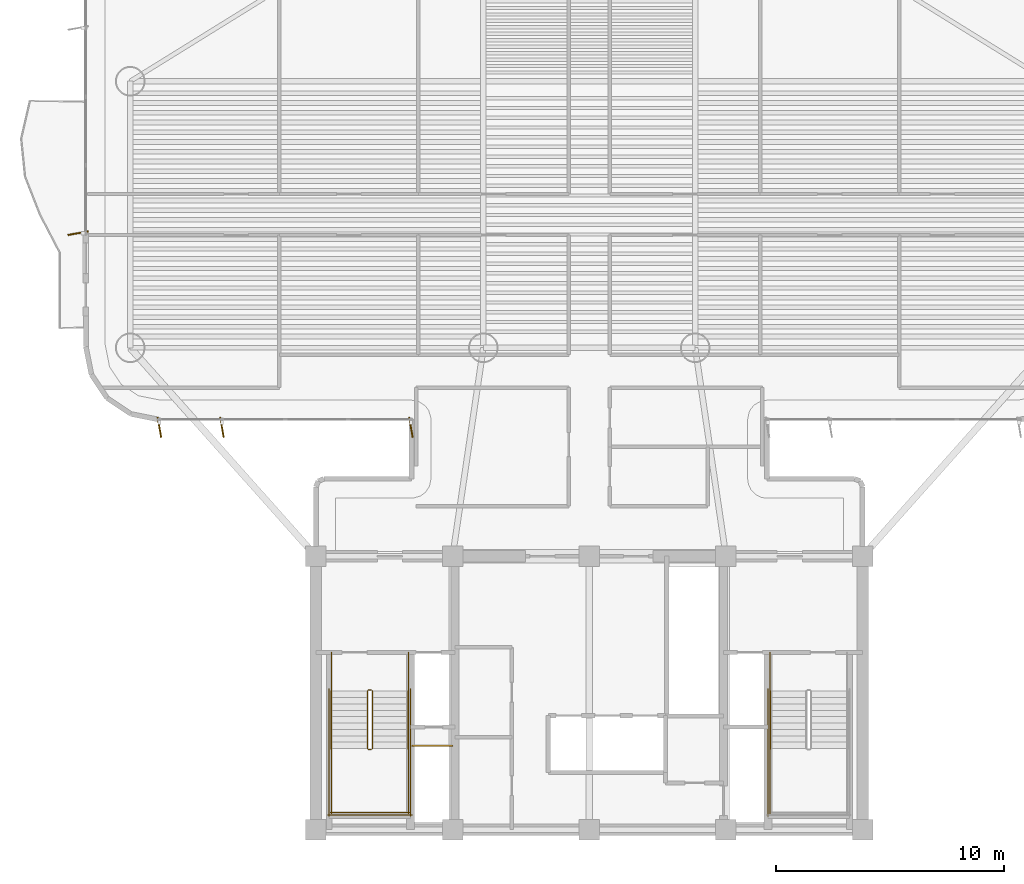
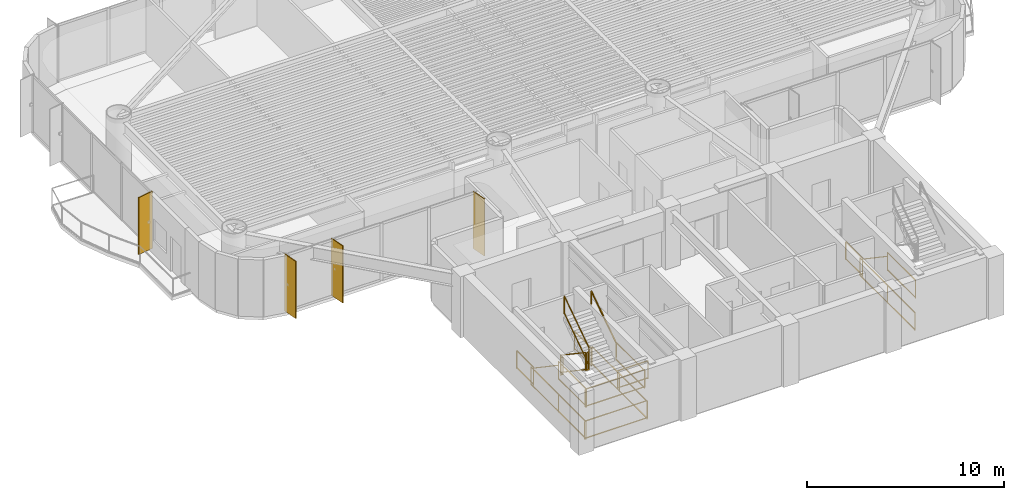
# One storey, part 13 of 16: 19 railings, 4 shading devices.
"""IFC4 building model written with IfcOpenShell, lengths in metres."""

from ifc_helpers import new_model, si_unit, direction, frame, origin, origin_2d, place, context, subcontext, project, spatial, rectangle, extrude, source, transform, mapped, material, layer, layer_set, material_profile, profile_set, type_object, element, save


model = new_model("IFC4")

# Units and contexts
model_context = context("Model", 3, precision=1e-05, world=origin(), true_north=direction((0.0, 1.0)))
body_context = subcontext(model_context, "Body", "Model", "MODEL_VIEW")
ifc_project = project(units=[si_unit("LENGTHUNIT", "METRE"), si_unit("AREAUNIT", "SQUARE_METRE"), si_unit("VOLUMEUNIT", "CUBIC_METRE"), si_unit("PLANEANGLEUNIT", "RADIAN"), si_unit("MASSUNIT", "GRAM", prefix="KILO")], contexts=[model_context])

# Site, building, storey
site_placement = place(None, origin())
site = spatial("IfcSite", under=ifc_project, at=site_placement, CompositionType="ELEMENT")
building_placement = place(site_placement, origin())
building = spatial("IfcBuilding", under=site, at=building_placement, Name="Brelvock Crest Care Tower", CompositionType="ELEMENT")
storey_placement = place(building_placement, frame((0.0, 0.0, 108.719970703125)))
storey = spatial("IfcBuildingStorey", under=building, at=storey_placement, Name="L27", CompositionType="ELEMENT", Elevation=108.719970703125)

# Railings
ifc_material_1 = material(Name="Steel Grade 350", Category="steel")
ifc_layer_1 = layer(ifc_material_1, 0.050048828125, Name="RL-STG1")
ifc_layer_set_1 = layer_set([ifc_layer_1], Name="Steel Grade 350")
railing_type_1 = type_object("IfcRailingType", Name="RL-STG1", PredefinedType="GUARDRAIL", material=ifc_layer_set_1)
railing_1_placement = place(storey_placement, frame((26.260009765625, 12.080078125, 0.18896484375)))
element("IfcRailing", 1, at=railing_1_placement, inside=storey, type_object=railing_type_1, Name="L27 ST-1 stair guard 1", PredefinedType="GUARDRAIL", context=body_context, shape_type="SweptSolid", body=[
    extrude(rectangle(XDim=0.048095703125, YDim=0.048095703125, at=origin_2d()), frame((0.0, -0.001708984375, 1.116943359375), z_axis=(0.0, -0.82882447046, 0.559508710537), x_axis=(1.0, 0.0, 0.0)), (0.0, 0.0, 1.0), 3.036376953125),
    extrude(rectangle(XDim=0.048095703125, YDim=0.048095703125, at=origin_2d()), frame((0.0, -0.001708984375, 0.05615234375), z_axis=(0.0, -0.82882447046, 0.559508710537), x_axis=(1.0, 0.0, 0.0)), (0.0, 0.0, 1.0), 3.036376953125),
    extrude(rectangle(XDim=0.0419921875, YDim=0.0419921875, at=origin_2d()), origin(), (0.0, 0.0, 1.0), 1.08984375),
    extrude(rectangle(XDim=0.0419921875, YDim=0.0419921875, at=origin_2d()), frame((0.0, -2.52001953125, 1.701171875)), (0.0, 0.0, 1.0), 1.08984375),
])
railing_2_placement = place(storey_placement, frame((26.31005859375, 9.510009765625, 1.89013671875)))
element("IfcRailing", 2, at=railing_2_placement, inside=storey, type_object=railing_type_1, Name="L27 ST-1 stair guard 2", PredefinedType="GUARDRAIL", context=body_context, shape_type="SweptSolid", body=[
    extrude(rectangle(XDim=0.048095703125, YDim=0.048095703125, at=origin_2d()), frame((0.001953125, 0.0, 1.11572265625), z_axis=(1.0, 0.0, 0.0), x_axis=(0.0, 1.0, 0.0)), (0.0, 0.0, 1.0), 0.115966796875),
    extrude(rectangle(XDim=0.048095703125, YDim=0.048095703125, at=origin_2d()), frame((0.001953125, 0.0, 0.054931640625), z_axis=(1.0, 0.0, 0.0), x_axis=(0.0, 1.0, 0.0)), (0.0, 0.0, 1.0), 0.115966796875),
    extrude(rectangle(XDim=0.0419921875, YDim=0.0419921875, at=origin_2d()), origin(), (0.0, 0.0, 1.0), 1.08984375),
    extrude(rectangle(XDim=0.0419921875, YDim=0.0419921875, at=origin_2d()), frame((0.119873046875, 0.0, 0.0)), (0.0, 0.0, 1.0), 1.08984375),
])
for number, where, name in (
    (3, (24.679931640625, 9.56005859375, 1.89013671875), "L27 ST-1 stair guard 3"),
    (4, (28.06005859375, 9.56005859375, 1.89013671875), "L27 ST-1 stair guard 4"),
):
    element("IfcRailing", number, at=place(storey_placement, frame(where)), inside=storey, type_object=railing_type_1, Name=name, PredefinedType="GUARDRAIL", context=body_context, shape_type="SweptSolid", body=[
        extrude(rectangle(XDim=0.048095703125, YDim=0.048095703125, at=origin_2d()), frame((0.0, -0.001953125, 1.11572265625), z_axis=(0.0, -1.0, 0.0), x_axis=(1.0, 0.0, 0.0)), (0.0, 0.0, 1.0), 2.856201171875),
        extrude(rectangle(XDim=0.048095703125, YDim=0.048095703125, at=origin_2d()), frame((0.0, -0.001953125, 0.054931640625), z_axis=(0.0, -1.0, 0.0), x_axis=(1.0, 0.0, 0.0)), (0.0, 0.0, 1.0), 2.856201171875),
        extrude(rectangle(XDim=0.0419921875, YDim=0.0419921875, at=origin_2d()), origin(), (0.0, 0.0, 1.0), 1.08984375),
        extrude(rectangle(XDim=0.0419921875, YDim=0.0419921875, at=origin_2d()), frame((0.0, -2.860107421875, 0.0)), (0.0, 0.0, 1.0), 1.08984375),
    ])
railing_3_placement = place(storey_placement, frame((24.6298828125, 6.75, 1.89013671875)))
element("IfcRailing", 5, at=railing_3_placement, inside=storey, type_object=railing_type_1, Name="L27 ST-1 stair guard 5", PredefinedType="GUARDRAIL", context=body_context, shape_type="SweptSolid", body=[
    extrude(rectangle(XDim=0.048095703125, YDim=0.048095703125, at=origin_2d()), frame((0.001953125, 0.0, 1.11572265625), z_axis=(1.0, 0.0, 0.0), x_axis=(0.0, 1.0, 0.0)), (0.0, 0.0, 1.0), 3.476318359375),
    extrude(rectangle(XDim=0.048095703125, YDim=0.048095703125, at=origin_2d()), frame((0.001953125, 0.0, 0.054931640625), z_axis=(1.0, 0.0, 0.0), x_axis=(0.0, 1.0, 0.0)), (0.0, 0.0, 1.0), 3.476318359375),
    extrude(rectangle(XDim=0.0419921875, YDim=0.0419921875, at=origin_2d()), origin(), (0.0, 0.0, 1.0), 1.08984375),
    extrude(rectangle(XDim=0.0419921875, YDim=0.0419921875, at=origin_2d()), frame((3.480224609375, 0.0, 0.0)), (0.0, 0.0, 1.0), 1.08984375),
])
railing_4_placement = place(storey_placement, frame((26.47998046875, 9.56005859375, 2.0791015625)))
element("IfcRailing", 6, at=railing_4_placement, inside=storey, type_object=railing_type_1, Name="L27 ST-1 stair guard 6", PredefinedType="GUARDRAIL", context=body_context, shape_type="SweptSolid", body=[
    extrude(rectangle(XDim=0.048095703125, YDim=0.048095703125, at=origin_2d()), frame((0.0, 0.001708984375, 1.116943359375), z_axis=(0.0, 0.828861706735, 0.559453546873), x_axis=(-1.0, 0.0, 0.0)), (0.0, 0.0, 1.0), 3.036376953125),
    extrude(rectangle(XDim=0.048095703125, YDim=0.048095703125, at=origin_2d()), frame((0.0, 0.001708984375, 0.05615234375), z_axis=(0.0, 0.828861706735, 0.559453546873), x_axis=(-1.0, 0.0, 0.0)), (0.0, 0.0, 1.0), 3.036376953125),
    extrude(rectangle(XDim=0.0419921875, YDim=0.0419921875, at=origin_2d()), origin(), (0.0, 0.0, 1.0), 1.08984375),
    extrude(rectangle(XDim=0.0419921875, YDim=0.0419921875, at=origin_2d()), frame((0.0, 2.52001953125, 1.700927734375)), (0.0, 0.0, 1.0), 1.08984375),
])
railing_5_placement = place(storey_placement, frame((26.31005859375, 12.1298828125, 0.0)))
element("IfcRailing", 7, at=railing_5_placement, inside=storey, type_object=railing_type_1, Name="L27 ST-1 stair guard 7", PredefinedType="GUARDRAIL", context=body_context, shape_type="SweptSolid", body=[
    extrude(rectangle(XDim=0.048095703125, YDim=0.048095703125, at=origin_2d()), frame((0.001953125, 0.0, 1.11572265625), z_axis=(1.0, 0.0, 0.0), x_axis=(0.0, 1.0, 0.0)), (0.0, 0.0, 1.0), 0.115966796875),
    extrude(rectangle(XDim=0.048095703125, YDim=0.048095703125, at=origin_2d()), frame((0.001953125, 0.0, 0.054931640625), z_axis=(1.0, 0.0, 0.0), x_axis=(0.0, 1.0, 0.0)), (0.0, 0.0, 1.0), 0.115966796875),
    extrude(rectangle(XDim=0.0419921875, YDim=0.0419921875, at=origin_2d()), origin(), (0.0, 0.0, 1.0), 1.08984375),
    extrude(rectangle(XDim=0.0419921875, YDim=0.0419921875, at=origin_2d()), frame((0.119873046875, 0.0, 0.0)), (0.0, 0.0, 1.0), 1.08984375),
])
for number, where, name in (
    (8, (24.679931640625, 13.780029296875, 0.0), "L27 ST-1 stair guard 8"),
    (9, (28.06005859375, 13.780029296875, 0.0), "L27 ST-1 stair guard 9"),
):
    element("IfcRailing", number, at=place(storey_placement, frame(where)), inside=storey, type_object=railing_type_1, Name=name, PredefinedType="GUARDRAIL", context=body_context, shape_type="SweptSolid", body=[
        extrude(rectangle(XDim=0.048095703125, YDim=0.048095703125, at=origin_2d()), frame((0.0, -0.001953125, 1.11572265625), z_axis=(0.0, -1.0, 0.0), x_axis=(1.0, 0.0, 0.0)), (0.0, 0.0, 1.0), 1.696044921875),
        extrude(rectangle(XDim=0.048095703125, YDim=0.048095703125, at=origin_2d()), frame((0.0, -0.001953125, 0.054931640625), z_axis=(0.0, -1.0, 0.0), x_axis=(1.0, 0.0, 0.0)), (0.0, 0.0, 1.0), 1.696044921875),
        extrude(rectangle(XDim=0.0419921875, YDim=0.0419921875, at=origin_2d()), origin(), (0.0, 0.0, 1.0), 1.08984375),
        extrude(rectangle(XDim=0.0419921875, YDim=0.0419921875, at=origin_2d()), frame((0.0, -1.699951171875, 0.0)), (0.0, 0.0, 1.0), 1.08984375),
    ])
for number, where, name in (
    (10, (24.580078125, 12.179931640625, 0.0), "L27 ST-1 stair guard 10"),
    (11, (28.159912109375, 12.179931640625, 0.0), "L27 ST-1 stair guard 11"),
):
    element("IfcRailing", number, at=place(storey_placement, frame(where)), inside=storey, type_object=railing_type_1, Name=name, PredefinedType="GUARDRAIL", context=body_context, shape_type="SweptSolid", body=[
        extrude(rectangle(XDim=0.048095703125, YDim=0.048095703125, at=origin_2d()), frame((0.0, -0.001953125, 1.11572265625), z_axis=(0.0, -1.0, 0.0), x_axis=(1.0, 0.0, 0.0)), (0.0, 0.0, 1.0), 5.575927734375),
        extrude(rectangle(XDim=0.048095703125, YDim=0.048095703125, at=origin_2d()), frame((0.0, -0.001953125, 0.054931640625), z_axis=(0.0, -1.0, 0.0), x_axis=(1.0, 0.0, 0.0)), (0.0, 0.0, 1.0), 5.575927734375),
        extrude(rectangle(XDim=0.0419921875, YDim=0.0419921875, at=origin_2d()), origin(), (0.0, 0.0, 1.0), 1.08984375),
        extrude(rectangle(XDim=0.0419921875, YDim=0.0419921875, at=origin_2d()), frame((0.0, -2.7900390625, 0.0)), (0.0, 0.0, 1.0), 1.08984375),
        extrude(rectangle(XDim=0.0419921875, YDim=0.0419921875, at=origin_2d()), frame((0.0, -5.579833984375, 0.0)), (0.0, 0.0, 1.0), 1.08984375),
    ])
railing_6_placement = place(storey_placement, frame((24.530029296875, 6.64990234375, 0.0)))
element("IfcRailing", 12, at=railing_6_placement, inside=storey, type_object=railing_type_1, Name="L27 ST-1 stair guard 12", PredefinedType="GUARDRAIL", context=body_context, shape_type="SweptSolid", body=[
    extrude(rectangle(XDim=0.048095703125, YDim=0.048095703125, at=origin_2d()), frame((0.001953125, 0.0, 1.11572265625), z_axis=(1.0, 0.0, 0.0), x_axis=(0.0, 1.0, 0.0)), (0.0, 0.0, 1.0), 3.676025390625),
    extrude(rectangle(XDim=0.048095703125, YDim=0.048095703125, at=origin_2d()), frame((0.001953125, 0.0, 0.054931640625), z_axis=(1.0, 0.0, 0.0), x_axis=(0.0, 1.0, 0.0)), (0.0, 0.0, 1.0), 3.676025390625),
    extrude(rectangle(XDim=0.0419921875, YDim=0.0419921875, at=origin_2d()), origin(), (0.0, 0.0, 1.0), 1.08984375),
    extrude(rectangle(XDim=0.0419921875, YDim=0.0419921875, at=origin_2d()), frame((3.679931640625, 0.0, 0.0)), (0.0, 0.0, 1.0), 1.08984375),
])
railing_7_placement = place(storey_placement, frame((43.93994140625, 9.56005859375, 1.89013671875)))
element("IfcRailing", 13, at=railing_7_placement, inside=storey, type_object=railing_type_1, Name="L27 ST-2 stair guard 3", PredefinedType="GUARDRAIL", context=body_context, shape_type="SweptSolid", body=[
    extrude(rectangle(XDim=0.048095703125, YDim=0.048095703125, at=origin_2d()), frame((0.0, -0.001953125, 1.11572265625), z_axis=(0.0, -1.0, 0.0), x_axis=(1.0, 0.0, 0.0)), (0.0, 0.0, 1.0), 2.856201171875),
    extrude(rectangle(XDim=0.048095703125, YDim=0.048095703125, at=origin_2d()), frame((0.0, -0.001953125, 0.054931640625), z_axis=(0.0, -1.0, 0.0), x_axis=(1.0, 0.0, 0.0)), (0.0, 0.0, 1.0), 2.856201171875),
    extrude(rectangle(XDim=0.0419921875, YDim=0.0419921875, at=origin_2d()), origin(), (0.0, 0.0, 1.0), 1.08984375),
    extrude(rectangle(XDim=0.0419921875, YDim=0.0419921875, at=origin_2d()), frame((0.0, -2.860107421875, 0.0)), (0.0, 0.0, 1.0), 1.08984375),
])
railing_8_placement = place(storey_placement, frame((43.93994140625, 13.780029296875, 0.0)))
element("IfcRailing", 14, at=railing_8_placement, inside=storey, type_object=railing_type_1, Name="L27 ST-2 stair guard 8", PredefinedType="GUARDRAIL", context=body_context, shape_type="SweptSolid", body=[
    extrude(rectangle(XDim=0.048095703125, YDim=0.048095703125, at=origin_2d()), frame((0.0, -0.001953125, 1.11572265625), z_axis=(0.0, -1.0, 0.0), x_axis=(1.0, 0.0, 0.0)), (0.0, 0.0, 1.0), 1.696044921875),
    extrude(rectangle(XDim=0.048095703125, YDim=0.048095703125, at=origin_2d()), frame((0.0, -0.001953125, 0.054931640625), z_axis=(0.0, -1.0, 0.0), x_axis=(1.0, 0.0, 0.0)), (0.0, 0.0, 1.0), 1.696044921875),
    extrude(rectangle(XDim=0.0419921875, YDim=0.0419921875, at=origin_2d()), origin(), (0.0, 0.0, 1.0), 1.08984375),
    extrude(rectangle(XDim=0.0419921875, YDim=0.0419921875, at=origin_2d()), frame((0.0, -1.699951171875, 0.0)), (0.0, 0.0, 1.0), 1.08984375),
])
railing_9_placement = place(storey_placement, frame((43.840087890625, 12.179931640625, 0.0)))
element("IfcRailing", 15, at=railing_9_placement, inside=storey, type_object=railing_type_1, Name="L27 ST-2 stair guard 10", PredefinedType="GUARDRAIL", context=body_context, shape_type="SweptSolid", body=[
    extrude(rectangle(XDim=0.048095703125, YDim=0.048095703125, at=origin_2d()), frame((0.0, -0.001953125, 1.11572265625), z_axis=(0.0, -1.0, 0.0), x_axis=(1.0, 0.0, 0.0)), (0.0, 0.0, 1.0), 5.575927734375),
    extrude(rectangle(XDim=0.048095703125, YDim=0.048095703125, at=origin_2d()), frame((0.0, -0.001953125, 0.054931640625), z_axis=(0.0, -1.0, 0.0), x_axis=(1.0, 0.0, 0.0)), (0.0, 0.0, 1.0), 5.575927734375),
    extrude(rectangle(XDim=0.0419921875, YDim=0.0419921875, at=origin_2d()), origin(), (0.0, 0.0, 1.0), 1.08984375),
    extrude(rectangle(XDim=0.0419921875, YDim=0.0419921875, at=origin_2d()), frame((0.0, -2.7900390625, 0.0)), (0.0, 0.0, 1.0), 1.08984375),
    extrude(rectangle(XDim=0.0419921875, YDim=0.0419921875, at=origin_2d()), frame((0.0, -5.579833984375, 0.0)), (0.0, 0.0, 1.0), 1.08984375),
])
railing_10_placement = place(storey_placement, frame((28.219970703125, 9.679931640625, 0.0)))
element("IfcRailing", 16, at=railing_10_placement, inside=storey, type_object=railing_type_1, Name="L27 Fire Riser Threshold Guard", PredefinedType="GUARDRAIL", context=body_context, shape_type="SweptSolid", body=[
    extrude(rectangle(XDim=0.048095703125, YDim=0.048095703125, at=origin_2d()), frame((0.001953125, 0.0, 1.11572265625), z_axis=(1.0, 0.0, 0.0), x_axis=(0.0, 1.0, 0.0)), (0.0, 0.0, 1.0), 1.776123046875),
    extrude(rectangle(XDim=0.048095703125, YDim=0.048095703125, at=origin_2d()), frame((0.001953125, 0.0, 0.054931640625), z_axis=(1.0, 0.0, 0.0), x_axis=(0.0, 1.0, 0.0)), (0.0, 0.0, 1.0), 1.776123046875),
    extrude(rectangle(XDim=0.0419921875, YDim=0.0419921875, at=origin_2d()), origin(), (0.0, 0.0, 1.0), 1.08984375),
    extrude(rectangle(XDim=0.0419921875, YDim=0.0419921875, at=origin_2d()), frame((1.780029296875, 0.0, 0.0)), (0.0, 0.0, 1.0), 1.08984375),
])
ifc_layer_2 = layer(ifc_material_1, 0.048095703125, Name="RL-STH1")
ifc_layer_set_2 = layer_set([ifc_layer_2], Name="Steel Grade 350")
railing_type_2 = type_object("IfcRailingType", Name="RL-STH1", PredefinedType="HANDRAIL", material=ifc_layer_set_2)
railing_11_placement = place(storey_placement, frame((24.679931640625, 12.080078125, 0.18896484375)))
element("IfcRailing", 17, at=railing_11_placement, inside=storey, type_object=railing_type_2, Name="L27 ST-1 stair handrail 1", PredefinedType="HANDRAIL", context=body_context, shape_type="SweptSolid", body=[
    extrude(rectangle(XDim=0.048095703125, YDim=0.048095703125, at=origin_2d()), frame((0.0, -0.001708984375, 0.876953125), z_axis=(0.0, -0.82882447046, 0.559508710537), x_axis=(1.0, 0.0, 0.0)), (0.0, 0.0, 1.0), 3.036376953125),
    extrude(rectangle(XDim=0.0419921875, YDim=0.0419921875, at=origin_2d()), origin(), (0.0, 0.0, 1.0), 0.849853515625),
    extrude(rectangle(XDim=0.0419921875, YDim=0.0419921875, at=origin_2d()), frame((0.0, -2.52001953125, 1.701171875)), (0.0, 0.0, 1.0), 0.849853515625),
])
railing_12_placement = place(storey_placement, frame((28.06005859375, 9.56005859375, 2.0791015625)))
element("IfcRailing", 18, at=railing_12_placement, inside=storey, type_object=railing_type_2, Name="L27 ST-1 stair handrail 2", PredefinedType="HANDRAIL", context=body_context, shape_type="SweptSolid", body=[
    extrude(rectangle(XDim=0.048095703125, YDim=0.048095703125, at=origin_2d()), frame((0.0, 0.001708984375, 0.876953125), z_axis=(0.0, 0.828861706735, 0.559453546873), x_axis=(-1.0, 0.0, 0.0)), (0.0, 0.0, 1.0), 3.036376953125),
    extrude(rectangle(XDim=0.0419921875, YDim=0.0419921875, at=origin_2d()), origin(), (0.0, 0.0, 1.0), 0.849853515625),
    extrude(rectangle(XDim=0.0419921875, YDim=0.0419921875, at=origin_2d()), frame((0.0, 2.52001953125, 1.700927734375)), (0.0, 0.0, 1.0), 0.849853515625),
])
railing_13_placement = place(storey_placement, frame((43.93994140625, 12.080078125, 0.18896484375)))
element("IfcRailing", 19, at=railing_13_placement, inside=storey, type_object=railing_type_2, Name="L27 ST-2 stair handrail 1", PredefinedType="HANDRAIL", context=body_context, shape_type="SweptSolid", body=[
    extrude(rectangle(XDim=0.048095703125, YDim=0.048095703125, at=origin_2d()), frame((0.0, -0.001708984375, 0.876953125), z_axis=(0.0, -0.82882447046, 0.559508710537), x_axis=(1.0, 0.0, 0.0)), (0.0, 0.0, 1.0), 3.036376953125),
    extrude(rectangle(XDim=0.0419921875, YDim=0.0419921875, at=origin_2d()), origin(), (0.0, 0.0, 1.0), 0.849853515625),
    extrude(rectangle(XDim=0.0419921875, YDim=0.0419921875, at=origin_2d()), frame((0.0, -2.52001953125, 1.701171875)), (0.0, 0.0, 1.0), 0.849853515625),
])

# Shading devices
ifc_material_2 = material(Name="Aluminium 6063-T6", Category="aluminium")
ifc_material_profile = material_profile(ifc_material_2, rectangle(XDim=0.054931640625, YDim=0.89990234375, at=origin_2d()), Name="FIN55x900")
ifc_profile_set = profile_set([ifc_material_profile], Name="Aluminium 6063-T6")
shading_device_type = type_object("IfcShadingDeviceType", Name="SHD-FIN1", PredefinedType="USERDEFINED", material=ifc_profile_set)
shared_shape = source(origin(), body_context, "Body", "SweptSolid", [
    extrude(rectangle(XDim=0.054931640625, YDim=0.89990234375, at=origin_2d()), origin(), (0.0, 0.0, 1.0), 3.530029296875),
])
for number, where, z_axis, x_axis, name in (
    (20, (28.169921875, 23.659912109375, 0.0), (0.0, 0.0, 1.0), (-0.984807753012, -0.173648177667, 0.0), "L27 Vertical Sunshade Fin E12-01"),
    (21, (19.875, 23.659912109375, 0.0), (0.0, 0.0, 1.0), (-0.984807753012, -0.173648177667, 0.0), "L27 Vertical Sunshade Fin E12-04"),
    (22, (17.1298828125, 23.659912109375, 0.0), (0.0, 0.0, 1.0), (-0.984807753012, -0.173648177667, 0.0), "L27 Vertical Sunshade Fin E12-05"),
    (23, (13.56005859375, 32.179931640625, 0.0), (0.0, 0.0, 1.0), (-0.173648177667, 0.984807753012, 0.0), "L27 Vertical Sunshade Fin E17B-01"),
):
    element("IfcShadingDevice", number, at=place(storey_placement, frame(where, z_axis=z_axis, x_axis=x_axis)), inside=storey, type_object=shading_device_type, Name=name, ObjectType="FIN", PredefinedType="USERDEFINED", context=body_context, shape_type="MappedRepresentation", body=[
        mapped(shared_shape, transform((0.0, 0.0, 0.0), x_axis=(1.0, 0.0, 0.0), y_axis=(0.0, 1.0, 0.0), z_axis=(0.0, 0.0, 1.0), scale=1.0)),
    ])

save(model, "model.ifc")
